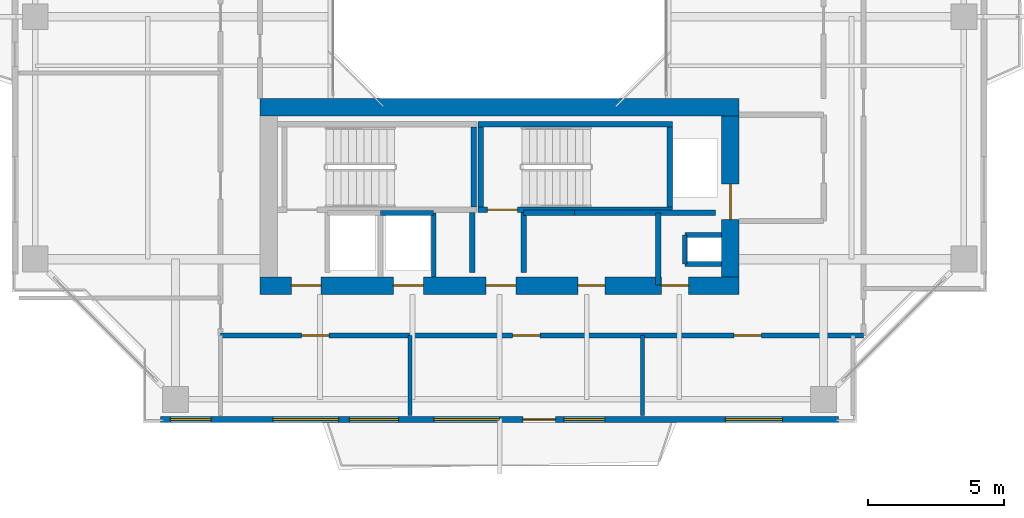
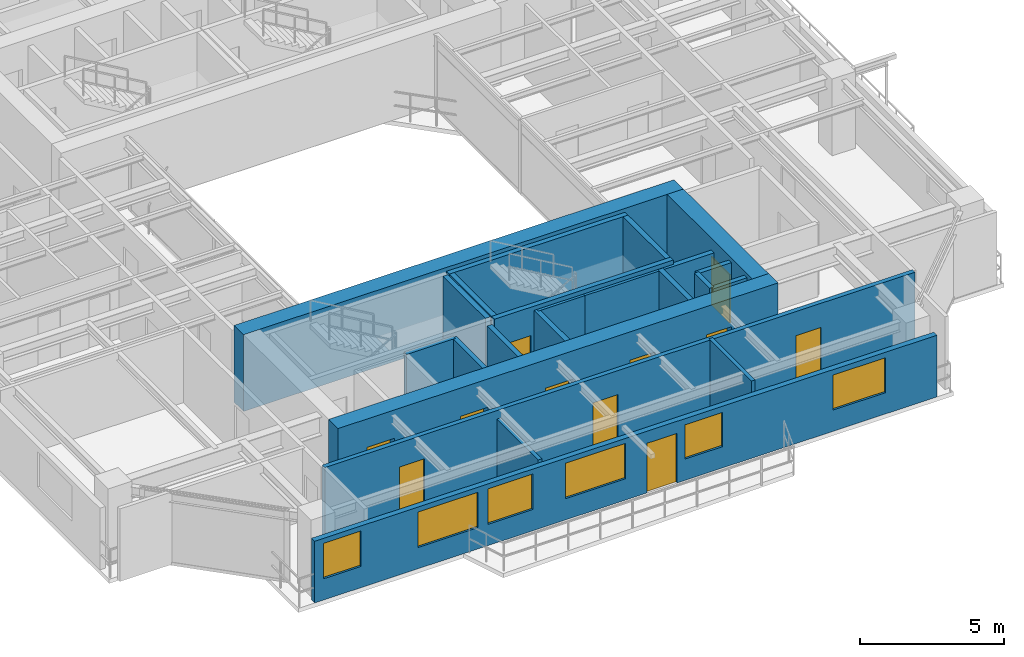
# One storey, part 11 of 18: 22 walls, 11 doors, 6 windows, 17 openings.
"""IFC4 building model written with IfcOpenShell, lengths in metres."""

import ifcopenshell
import ifcopenshell.guid

model = None  # the IFC model being written
_history = None  # IfcOwnerHistory: only IFC2X3 demands one
_inside = {}  # id of a spatial element -> (the spatial element, [elements in it])
_under = {}  # id of a project, library or spatial element -> (it, [spatial elements below it])
_declared = {}  # id of a project -> (the project, [libraries it declares])
_typed = {}  # id of a type object -> (the type object, [elements of that type])
_made_of = {}  # id of a material, layer set ... -> (it, [elements and type objects made of it])


def new_model(schema):
    """Start an empty IFC model of exactly this schema.

    Asked for "IFC4X3", IfcOpenShell would pick the latest addendum, in which some entities
    have other attributes; the version numbers below select the first issue.
    IFC2X3 requires an IfcOwnerHistory on every rooted entity: one is made here for all.
    """
    global model, _history
    if schema == "IFC4X3":
        model = ifcopenshell.file(schema_version=(4, 3, 0, 0))
    else:
        model = ifcopenshell.file(schema=schema)
    _inside.clear()
    _under.clear()
    _declared.clear()
    _typed.clear()
    _made_of.clear()
    _history = None
    if model.schema == "IFC2X3":
        org = make("IfcOrganization", Name="unknown")
        user = make(
            "IfcPersonAndOrganization",
            ThePerson=make("IfcPerson", FamilyName="unknown"),
            TheOrganization=org,
        )
        app = make(
            "IfcApplication",
            ApplicationDeveloper=org,
            Version="unknown",
            ApplicationFullName="unknown",
            ApplicationIdentifier="unknown",
        )
        _history = make(
            "IfcOwnerHistory",
            OwningUser=user,
            OwningApplication=app,
            ChangeAction="ADDED",
            CreationDate=0,
        )
    return model


def make(cls, **values):
    """One entity of the class cls with the attributes given. An attribute that is None is left unset."""
    return model.create_entity(
        cls, **{name: value for name, value in values.items() if value is not None}
    )


def rooted(cls, **values):
    """An entity with a GlobalId (a new one), such as an element, a storey or a relation."""
    return make(cls, GlobalId=ifcopenshell.guid.new(), OwnerHistory=_history, **values)


def si_unit(unit_type, name, prefix=None):
    """IfcSIUnit, for example si_unit("LENGTHUNIT", "METRE", prefix="MILLI")."""
    return make("IfcSIUnit", UnitType=unit_type, Prefix=prefix, Name=name)


def assignment(units):
    """IfcUnitAssignment: the units of a project."""
    return None if units is None else make("IfcUnitAssignment", Units=units)


def point(xyz):
    """IfcCartesianPoint."""
    return None if xyz is None else make("IfcCartesianPoint", Coordinates=xyz)


def direction(xyz):
    """IfcDirection."""
    return None if xyz is None else make("IfcDirection", DirectionRatios=xyz)


def frame(location, z_axis=None, x_axis=None):
    """IfcAxis2Placement3D, a coordinate frame: its origin and axes. An axis left out is left unset."""
    return make(
        "IfcAxis2Placement3D",
        Location=point(location),
        Axis=direction(z_axis),
        RefDirection=direction(x_axis),
    )


def frame_2d(location, x_axis=None):
    """IfcAxis2Placement2D, a coordinate frame in the plane: its origin and x axis."""
    return make(
        "IfcAxis2Placement2D", Location=point(location), RefDirection=direction(x_axis)
    )


def origin():
    """The frame at (0, 0, 0) with its axes left unset."""
    return frame((0.0, 0.0, 0.0))


def place(relative_to, where):
    """IfcLocalPlacement: puts the frame where relative to a parent placement (None: the world)."""
    return make(
        "IfcLocalPlacement", PlacementRelTo=relative_to, RelativePlacement=where
    )


def context(
    kind, dimensions, precision=None, world=None, true_north=None, identifier=None
):
    """IfcGeometricRepresentationContext, for example the 3D "Model" context."""
    return make(
        "IfcGeometricRepresentationContext",
        ContextIdentifier=identifier,
        ContextType=kind,
        CoordinateSpaceDimension=dimensions,
        Precision=precision,
        WorldCoordinateSystem=world,
        TrueNorth=true_north,
    )


def subcontext(parent, identifier, kind, view, scale=None):
    """IfcGeometricRepresentationSubContext, for example "Body" below "Model"."""
    return make(
        "IfcGeometricRepresentationSubContext",
        ContextIdentifier=identifier,
        ContextType=kind,
        ParentContext=parent,
        TargetScale=scale,
        TargetView=view,
    )


def project(units=None, contexts=None):
    """IfcProject with its units and contexts."""
    return rooted(
        "IfcProject",
        Name="project",
        RepresentationContexts=contexts,
        UnitsInContext=assignment(units),
    )


def spatial(cls, under=None, at=None, **own):
    """A site, building, storey or space (cls), placed at a placement, below another one or the project."""
    s = rooted(cls, ObjectPlacement=at, **own)
    if under is not None:
        _under.setdefault(under.id(), (under, []))[1].append(s)
    return s


def profile(cls, at=None, kind="AREA", **sizes):
    """A parametric profile (cls). Its sizes go by their IFC names, for example OverallWidth=200.0."""
    return make(cls, ProfileType=kind, Position=at, **sizes)


def rectangle(**sizes):
    """IfcRectangleProfileDef."""
    return profile("IfcRectangleProfileDef", **sizes)


def extrude(swept, where, along, depth):
    """IfcExtrudedAreaSolid: the profile swept, set in the frame where, extruded along a direction by depth."""
    return make(
        "IfcExtrudedAreaSolid",
        SweptArea=swept,
        Position=where,
        ExtrudedDirection=direction(along),
        Depth=depth,
    )


def shape(context_of_items, identifier, shape_type, items):
    """IfcShapeRepresentation: the items that make up one representation, for example the "Body"."""
    return make(
        "IfcShapeRepresentation",
        ContextOfItems=context_of_items,
        RepresentationIdentifier=identifier,
        RepresentationType=shape_type,
        Items=items,
    )


def source(mapping_origin, context_of_items, identifier, shape_type, items):
    """IfcRepresentationMap: a shape defined once, which mapped items show again and again."""
    return make(
        "IfcRepresentationMap",
        MappingOrigin=mapping_origin,
        MappedRepresentation=shape(context_of_items, identifier, shape_type, items),
    )


def transform(
    local_origin,
    x_axis=None,
    y_axis=None,
    z_axis=None,
    scale=None,
    scale2=None,
    scale3=None,
    uniform=True,
):
    """IfcCartesianTransformationOperator3D, or its non-uniform kind. x_axis, y_axis, z_axis: its Axis1, 2, 3."""
    if uniform:
        return make(
            "IfcCartesianTransformationOperator3D",
            Axis1=direction(x_axis),
            Axis2=direction(y_axis),
            LocalOrigin=point(local_origin),
            Scale=scale,
            Axis3=direction(z_axis),
        )
    return make(
        "IfcCartesianTransformationOperator3DnonUniform",
        Axis1=direction(x_axis),
        Axis2=direction(y_axis),
        LocalOrigin=point(local_origin),
        Scale=scale,
        Axis3=direction(z_axis),
        Scale2=scale2,
        Scale3=scale3,
    )


def mapped(mapping_source, mapping_target):
    """IfcMappedItem: shows the shape of a source again, moved by a transform."""
    return make(
        "IfcMappedItem", MappingSource=mapping_source, MappingTarget=mapping_target
    )


def material(Name=None, Category=None):
    """IfcMaterial."""
    return make("IfcMaterial", Name=Name, Category=Category)


def layer(
    of_material, thickness, ventilated=None, Name=None, Category=None, Priority=None
):
    """IfcMaterialLayer: one layer of a wall or slab, of a material (None: an air gap)."""
    return make(
        "IfcMaterialLayer",
        Material=of_material,
        LayerThickness=thickness,
        IsVentilated=ventilated,
        Name=Name,
        Category=Category,
        Priority=Priority,
    )


def layer_set(layers, Name=None):
    """IfcMaterialLayerSet."""
    return make("IfcMaterialLayerSet", MaterialLayers=layers, LayerSetName=Name)


def made_of(thing, what):
    """Note that an element or type object is made of a material, layer set ...; save() writes the relation."""
    if what is not None:
        _made_of.setdefault(what.id(), (what, []))[1].append(thing)
    return thing


def type_object(cls, material=None, **own):
    """A type object (cls), such as IfcWallType, which elements share."""
    return made_of(rooted(cls, **own), material)


def element(
    cls,
    number,
    at=None,
    inside=None,
    cuts=None,
    type_object=None,
    material=None,
    context=None,
    identifier="Body",
    shape_type=None,
    held_by="IfcProductDefinitionShape",
    body=None,
    shapes=None,
    **own,
):
    """One element of the class cls, such as IfcWall. Its Tag is "e" and its number.

    at: its placement. inside: the storey or other place that contains it. cuts: it is an
    opening in that element (IfcRelVoidsElement). A single representation is given by context,
    identifier, shape_type and body (its items); several are given by shapes. held_by: the class
    of the entity that holds the representations. save() writes the other relations.
    """
    e = rooted(cls, Tag="e%d" % number, ObjectPlacement=at, **own)
    if body is not None:
        shapes = [shape(context, identifier, shape_type, body)]
    if shapes is not None:
        e.Representation = make(held_by, Representations=shapes)
    if inside is not None:
        _inside.setdefault(inside.id(), (inside, []))[1].append(e)
    if cuts is not None:
        rooted(
            "IfcRelVoidsElement", RelatingBuildingElement=cuts, RelatedOpeningElement=e
        )
    if type_object is not None:
        _typed.setdefault(type_object.id(), (type_object, []))[1].append(e)
    return made_of(e, material)


def fill(opening, filler):
    """IfcRelFillsElement: the door or window that sits in an opening."""
    return rooted(
        "IfcRelFillsElement",
        RelatingOpeningElement=opening,
        RelatedBuildingElement=filler,
    )


def aggregate(whole, parts):
    """IfcRelAggregates: a whole, such as a stair, and the parts it consists of."""
    return rooted("IfcRelAggregates", RelatingObject=whole, RelatedObjects=parts)


def save(model, path):
    """Write the relations noted so far, then the file.

    IfcRelAggregates (storeys below a building ...), IfcRelContainedInSpatialStructure (elements
    in a storey), IfcRelDefinesByType, IfcRelAssociatesMaterial and IfcRelDeclares: one each for
    every whole, place, type object, material and project.
    """
    for whole, parts in _under.values():
        aggregate(whole, parts)
    for where, things in _inside.values():
        rooted(
            "IfcRelContainedInSpatialStructure",
            RelatedElements=things,
            RelatingStructure=where,
        )
    for kind, things in _typed.values():
        rooted("IfcRelDefinesByType", RelatedObjects=things, RelatingType=kind)
    for what, things in _made_of.values():
        rooted("IfcRelAssociatesMaterial", RelatedObjects=things, RelatingMaterial=what)
    for by, libraries in _declared.values():
        rooted("IfcRelDeclares", RelatingContext=by, RelatedDefinitions=libraries)
    model.write(path)


model = new_model("IFC4")

# Units and contexts
model_context = context("Model", 3, precision=1e-05, world=origin(), true_north=direction((0.0, 1.0)))
body_context = subcontext(model_context, "Body", "Model", "MODEL_VIEW")
ifc_project = project(units=[si_unit("LENGTHUNIT", "METRE"), si_unit("AREAUNIT", "SQUARE_METRE"), si_unit("VOLUMEUNIT", "CUBIC_METRE"), si_unit("PLANEANGLEUNIT", "RADIAN"), si_unit("MASSUNIT", "GRAM", prefix="KILO"), si_unit("THERMODYNAMICTEMPERATUREUNIT", "KELVIN"), si_unit("POWERUNIT", "WATT")], contexts=[model_context])

# Site, building, storey
site_placement = place(None, origin())
site = spatial("IfcSite", under=ifc_project, at=site_placement, CompositionType="ELEMENT")
building_placement = place(site_placement, origin())
building = spatial("IfcBuilding", under=site, at=building_placement, Name="Qiaomeng Ring Towers", CompositionType="ELEMENT")
storey_placement = place(building_placement, frame((0.0, 0.0, 147.0)))
storey = spatial("IfcBuildingStorey", under=building, at=storey_placement, Name="L42", CompositionType="ELEMENT", Elevation=147.0)

# Wall, openings, windows, door
ifc_material_1 = material(Name="Precast concrete C40", Category="concrete")
ifc_layer_1 = layer(ifc_material_1, 0.219970703125, Name="Precast concrete C40")
ifc_layer_set_1 = layer_set([ifc_layer_1], Name="Precast concrete C40")
wall_type_1 = type_object("IfcWallType", Name="ARC-WL-EW2", PredefinedType="STANDARD", material=ifc_layer_set_1)
wall_1_placement = place(storey_placement, frame((6.550048828125, 5.2099609375, 0.0), z_axis=(0.0, 0.0, 1.0), x_axis=(1.0, 0.0, 0.0)))
wall_1 = element("IfcWall", 1, at=wall_1_placement, inside=storey, type_object=wall_type_1, Name="L42 Tower 1 S Exterior Wall", PredefinedType="STANDARD", context=body_context, shape_type="SweptSolid", body=[
    extrude(rectangle(XDim=24.89990234375, YDim=0.219970703125, at=frame_2d((12.449951171875, 0.0))), origin(), (0.0, 0.0, 1.0), 2.610107421875),
])
opening_1_placement = place(wall_1_placement, frame((13.300048828125, 0.0, 0.0)))
opening_1 = element("IfcOpeningElement", 2, at=opening_1_placement, cuts=wall_1, Name="Opening BD1", PredefinedType="OPENING", context=body_context, shape_type="SweptSolid", body=[
    extrude(rectangle(XDim=1.199951171875, YDim=2.10009765625, at=frame_2d((0.60009765625, 1.050048828125))), frame((0.0, 0.119873046875, 0.0), z_axis=(0.0, -1.0, 0.0), x_axis=(1.0, 0.0, 0.0)), (0.0, 0.0, 1.0), 0.239990234375),
])
opening_2_placement = place(wall_1_placement, frame((0.357421875, 0.0, 0.89990234375)))
opening_2 = element("IfcOpeningElement", 3, at=opening_2_placement, cuts=wall_1, Name="Opening WN2", PredefinedType="OPENING", context=body_context, shape_type="SweptSolid", body=[
    extrude(rectangle(XDim=1.5, YDim=1.5, at=frame_2d((0.75, 0.75))), frame((0.0, 0.119873046875, 0.0), z_axis=(0.0, -1.0, 0.0), x_axis=(1.0, 0.0, 0.0)), (0.0, 0.0, 1.0), 0.239990234375),
])
opening_3_placement = place(wall_1_placement, frame((6.9306640625, 0.0, 0.89990234375)))
opening_3 = element("IfcOpeningElement", 4, at=opening_3_placement, cuts=wall_1, Name="Opening WN1", PredefinedType="OPENING", context=body_context, shape_type="SweptSolid", body=[
    extrude(rectangle(XDim=1.800048828125, YDim=1.5, at=frame_2d((0.89990234375, 0.75))), frame((0.0, 0.119873046875, 0.0), z_axis=(0.0, -1.0, 0.0), x_axis=(1.0, 0.0, 0.0)), (0.0, 0.0, 1.0), 0.239990234375),
])
opening_4_placement = place(wall_1_placement, frame((14.81298828125, 0.0, 0.89990234375)))
opening_4 = element("IfcOpeningElement", 5, at=opening_4_placement, cuts=wall_1, Name="Opening WN2", PredefinedType="OPENING", context=body_context, shape_type="SweptSolid", body=[
    extrude(rectangle(XDim=1.5, YDim=1.449951171875, at=frame_2d((0.75, 0.72509765625))), frame((0.0, 0.119873046875, 0.0), z_axis=(0.0, -1.0, 0.0), x_axis=(1.0, 0.0, 0.0)), (0.0, 0.0, 1.0), 0.239990234375),
])
opening_5_placement = place(wall_1_placement, frame((20.738037109375, 0.0, 0.89990234375)))
opening_5 = element("IfcOpeningElement", 6, at=opening_5_placement, cuts=wall_1, Name="Opening WN4", PredefinedType="OPENING", context=body_context, shape_type="SweptSolid", body=[
    extrude(rectangle(XDim=2.10009765625, YDim=1.47998046875, at=frame_2d((1.050048828125, 0.739990234375))), frame((0.0, 0.119873046875, 0.0), z_axis=(0.0, -1.0, 0.0), x_axis=(1.0, 0.0, 0.0)), (0.0, 0.0, 1.0), 0.239990234375),
])
opening_6_placement = place(wall_1_placement, frame((4.136474609375, 0.0, 0.89990234375)))
opening_6 = element("IfcOpeningElement", 7, at=opening_6_placement, cuts=wall_1, Name="Opening WN6", PredefinedType="OPENING", context=body_context, shape_type="SweptSolid", body=[
    extrude(rectangle(XDim=2.39990234375, YDim=1.5, at=frame_2d((1.199951171875, 0.75))), frame((0.0, 0.119873046875, 0.0), z_axis=(0.0, -1.0, 0.0), x_axis=(1.0, 0.0, 0.0)), (0.0, 0.0, 1.0), 0.239990234375),
])
opening_7_placement = place(wall_1_placement, frame((10.03759765625, 0.0, 0.89990234375)))
opening_7 = element("IfcOpeningElement", 8, at=opening_7_placement, cuts=wall_1, Name="Opening WN6", PredefinedType="OPENING", context=body_context, shape_type="SweptSolid", body=[
    extrude(rectangle(XDim=2.39990234375, YDim=1.5, at=frame_2d((1.199951171875, 0.75))), frame((0.0, 0.119873046875, 0.0), z_axis=(0.0, -1.0, 0.0), x_axis=(1.0, 0.0, 0.0)), (0.0, 0.0, 1.0), 0.239990234375),
])
ifc_material_2 = material(Name="Low-E dark-grey laminated double glazing", Category="glass")
window_type_1 = type_object("IfcWindowType", Name="ARC-WN-2", PartitioningType="DOUBLE_PANEL_VERTICAL", PredefinedType="WINDOW", material=ifc_material_2)
shared_shape_1 = source(origin(), body_context, "Body", "SweptSolid", [
    extrude(rectangle(XDim=1.5, YDim=1.449951171875, at=frame_2d((0.75, 0.72509765625))), frame((0.0, 0.030029296875, 0.0), z_axis=(0.0, -1.0, 0.0), x_axis=(1.0, 0.0, 0.0)), (0.0, 0.0, 1.0), 0.06005859375),
])
window_1_placement = place(opening_4_placement, origin())
window_1 = element("IfcWindow", 9, at=window_1_placement, inside=storey, type_object=window_type_1, Name="L42 Exterior Window WN2", OverallHeight=1.449951171875, OverallWidth=1.5, PartitioningType="DOUBLE_PANEL_VERTICAL", PredefinedType="WINDOW", context=body_context, shape_type="MappedRepresentation", body=[
    mapped(shared_shape_1, transform((0.0, 0.0, 0.0), x_axis=(1.0, 0.0, 0.0), y_axis=(0.0, 1.0, 0.0), z_axis=(0.0, 0.0, 1.0), scale=1.0)),
])
fill(opening_4, window_1)
window_type_2 = type_object("IfcWindowType", Name="ARC-WN-4", PartitioningType="TRIPLE_PANEL_VERTICAL", PredefinedType="WINDOW", material=ifc_material_2)
shared_shape_2 = source(origin(), body_context, "Body", "SweptSolid", [
    extrude(rectangle(XDim=2.10009765625, YDim=1.47998046875, at=frame_2d((1.050048828125, 0.739990234375))), frame((0.0, 0.030029296875, 0.0), z_axis=(0.0, -1.0, 0.0), x_axis=(1.0, 0.0, 0.0)), (0.0, 0.0, 1.0), 0.06005859375),
])
window_2_placement = place(opening_5_placement, origin())
window_2 = element("IfcWindow", 10, at=window_2_placement, inside=storey, type_object=window_type_2, Name="L42 Exterior Window WN4", OverallHeight=1.47998046875, OverallWidth=2.10009765625, PartitioningType="TRIPLE_PANEL_VERTICAL", PredefinedType="WINDOW", context=body_context, shape_type="MappedRepresentation", body=[
    mapped(shared_shape_2, transform((0.0, 0.0, 0.0), x_axis=(1.0, 0.0, 0.0), y_axis=(0.0, 1.0, 0.0), z_axis=(0.0, 0.0, 1.0), scale=1.0)),
])
fill(opening_5, window_2)
door_type_1 = type_object("IfcDoorType", Name="ARC-DR-BD1", OperationType="NOTDEFINED", PredefinedType="DOOR", material=ifc_material_2)
shared_shape_3 = source(origin(), body_context, "Body", "SweptSolid", [
    extrude(rectangle(XDim=1.199951171875, YDim=2.10009765625, at=frame_2d((0.60009765625, 1.050048828125))), frame((0.0, 0.02490234375, 0.0), z_axis=(0.0, -1.0, 0.0), x_axis=(1.0, 0.0, 0.0)), (0.0, 0.0, 1.0), 0.050048828125),
])
door_1_placement = place(opening_1_placement, frame((1.199951171875, 0.0, 0.0), z_axis=(0.0, 0.0, 1.0), x_axis=(-1.0, 0.0, 0.0)))
door_1 = element("IfcDoor", 11, at=door_1_placement, inside=storey, type_object=door_type_1, Name="L42 S Balcony Glazed Door", OperationType="SINGLE_SWING_LEFT", OverallHeight=2.10009765625, OverallWidth=1.199951171875, PredefinedType="DOOR", context=body_context, shape_type="MappedRepresentation", body=[
    mapped(shared_shape_3, transform((0.0, 0.0, 0.0), x_axis=(1.0, 0.0, 0.0), y_axis=(0.0, 1.0, 0.0), z_axis=(0.0, 0.0, 1.0), scale=1.0)),
])
fill(opening_1, door_1)
shared_shape_4 = source(origin(), body_context, "Body", "SweptSolid", [
    extrude(rectangle(XDim=1.5, YDim=1.5, at=frame_2d((0.75, 0.75))), frame((0.0, 0.030029296875, 0.0), z_axis=(0.0, -1.0, 0.0), x_axis=(1.0, 0.0, 0.0)), (0.0, 0.0, 1.0), 0.06005859375),
])
window_3_placement = place(opening_2_placement, origin())
window_3 = element("IfcWindow", 12, at=window_3_placement, inside=storey, type_object=window_type_1, Name="L42 Exterior Window WN6", OverallHeight=1.5, OverallWidth=1.5, PartitioningType="TRIPLE_PANEL_VERTICAL", PredefinedType="WINDOW", context=body_context, shape_type="MappedRepresentation", body=[
    mapped(shared_shape_4, transform((0.0, 0.0, 0.0), x_axis=(1.0, 0.0, 0.0), y_axis=(0.0, 1.0, 0.0), z_axis=(0.0, 0.0, 1.0), scale=1.0)),
])
fill(opening_2, window_3)
window_type_3 = type_object("IfcWindowType", Name="ARC-WN-6", PartitioningType="TRIPLE_PANEL_VERTICAL", PredefinedType="WINDOW", material=ifc_material_2)
shared_shape_5 = source(origin(), body_context, "Body", "SweptSolid", [
    extrude(rectangle(XDim=2.39990234375, YDim=1.5, at=frame_2d((1.199951171875, 0.75))), frame((0.0, 0.030029296875, 0.0), z_axis=(0.0, -1.0, 0.0), x_axis=(1.0, 0.0, 0.0)), (0.0, 0.0, 1.0), 0.06005859375),
])
window_4_placement = place(opening_6_placement, origin())
window_4 = element("IfcWindow", 13, at=window_4_placement, inside=storey, type_object=window_type_3, Name="L42 Exterior Window WN6", OverallHeight=1.5, OverallWidth=2.39990234375, PartitioningType="TRIPLE_PANEL_VERTICAL", PredefinedType="WINDOW", context=body_context, shape_type="MappedRepresentation", body=[
    mapped(shared_shape_5, transform((0.0, 0.0, 0.0), x_axis=(1.0, 0.0, 0.0), y_axis=(0.0, 1.0, 0.0), z_axis=(0.0, 0.0, 1.0), scale=1.0)),
])
fill(opening_6, window_4)
window_5_placement = place(opening_7_placement, origin())
window_5 = element("IfcWindow", 14, at=window_5_placement, inside=storey, type_object=window_type_3, Name="L42 Exterior Window WN6", OverallHeight=1.5, OverallWidth=2.39990234375, PartitioningType="TRIPLE_PANEL_VERTICAL", PredefinedType="WINDOW", context=body_context, shape_type="MappedRepresentation", body=[
    mapped(shared_shape_5, transform((0.0, 0.0, 0.0), x_axis=(1.0, 0.0, 0.0), y_axis=(0.0, 1.0, 0.0), z_axis=(0.0, 0.0, 1.0), scale=1.0)),
])
fill(opening_7, window_5)
window_type_4 = type_object("IfcWindowType", Name="ARC-WN-1", PartitioningType="DOUBLE_PANEL_VERTICAL", PredefinedType="WINDOW", material=ifc_material_2)
shared_shape_6 = source(origin(), body_context, "Body", "SweptSolid", [
    extrude(rectangle(XDim=1.800048828125, YDim=1.5, at=frame_2d((0.89990234375, 0.75))), frame((0.0, 0.030029296875, 0.0), z_axis=(0.0, -1.0, 0.0), x_axis=(1.0, 0.0, 0.0)), (0.0, 0.0, 1.0), 0.06005859375),
])
window_6_placement = place(opening_3_placement, origin())
window_6 = element("IfcWindow", 15, at=window_6_placement, inside=storey, type_object=window_type_4, Name="L42 Exterior Window WN1", OverallHeight=1.5, OverallWidth=1.800048828125, PartitioningType="DOUBLE_PANEL_VERTICAL", PredefinedType="WINDOW", context=body_context, shape_type="MappedRepresentation", body=[
    mapped(shared_shape_6, transform((0.0, 0.0, 0.0), x_axis=(1.0, 0.0, 0.0), y_axis=(0.0, 1.0, 0.0), z_axis=(0.0, 0.0, 1.0), scale=1.0)),
])
fill(opening_3, window_6)

# Walls
ifc_material_3 = material(Name="Autoclaved aerated concrete block", Category="concrete")
ifc_layer_2 = layer(ifc_material_3, 0.199951171875, Name="Autoclaved aerated concrete block")
ifc_layer_set_2 = layer_set([ifc_layer_2], Name="Autoclaved aerated concrete block")
wall_type_2 = type_object("IfcWallType", Name="ARC-WL-PW1", PredefinedType="PARTITIONING", material=ifc_layer_set_2)
for number, where, z_axis, x_axis, name in (
    (16, (18.0, 10.60009765625, 0.0), (0.0, 0.0, 1.0), (0.0, 1.0, 0.0), "L42 Interior Wall PW1"),
    (17, (19.8798828125, 10.60009765625, 0.0), (0.0, 0.0, 1.0), (0.0, 1.0, 0.0), "L42 Interior Wall PW1"),
):
    element("IfcWall", number, at=place(storey_placement, frame(where, z_axis=z_axis, x_axis=x_axis)), inside=storey, type_object=wall_type_2, Name=name, PredefinedType="PARTITIONING", context=body_context, shape_type="SweptSolid", body=[
        extrude(rectangle(XDim=2.2099609375, YDim=0.199951171875, at=frame_2d((1.10498046875, 0.0))), origin(), (0.0, 0.0, 1.0), 3.070068359375),
    ])
wall_2_placement = place(storey_placement, frame((24.820068359375, 10.14990234375, 0.0), z_axis=(0.0, 0.0, 1.0), x_axis=(0.0, 1.0, 0.0)))
element("IfcWall", 18, at=wall_2_placement, inside=storey, type_object=wall_type_2, Name="L42 Interior Wall PW1", PredefinedType="PARTITIONING", context=body_context, shape_type="SweptSolid", body=[
    extrude(rectangle(XDim=2.650146484375, YDim=0.199951171875, at=frame_2d((1.3251953125, 0.0))), origin(), (0.0, 0.0, 1.0), 3.070068359375),
])
wall_3_placement = place(storey_placement, frame((19.8798828125, 12.800048828125, 0.0), z_axis=(0.0, 0.0, 1.0), x_axis=(1.0, 0.0, 0.0)))
element("IfcWall", 19, at=wall_3_placement, inside=storey, type_object=wall_type_2, Name="L42 Interior Wall PW1", PredefinedType="PARTITIONING", context=body_context, shape_type="SweptSolid", body=[
    extrude(rectangle(XDim=1.8701171875, YDim=0.199951171875, at=frame_2d((0.93505859375, 0.0))), origin(), (0.0, 0.0, 1.0), 3.070068359375),
])
wall_4_placement = place(storey_placement, frame((21.75, 12.800048828125, 0.0), z_axis=(0.0, 0.0, 1.0), x_axis=(1.0, 0.0, 0.0)))
element("IfcWall", 20, at=wall_4_placement, inside=storey, type_object=wall_type_2, Name="L42 Interior Wall PW1", PredefinedType="PARTITIONING", context=body_context, shape_type="SweptSolid", body=[
    extrude(rectangle(XDim=5.169921875, YDim=0.199951171875, at=frame_2d((2.5849609375, 0.0))), origin(), (0.0, 0.0, 1.0), 3.070068359375),
])

# Wall, openings, doors
ifc_layer_3 = layer(ifc_material_3, 0.179931640625, Name="Autoclaved aerated concrete block")
ifc_layer_set_3 = layer_set([ifc_layer_3], Name="Autoclaved aerated concrete block")
wall_type_3 = type_object("IfcWallType", Name="ARC-WL-PW2", PredefinedType="PARTITIONING", material=ifc_layer_set_3)
wall_5_placement = place(storey_placement, frame((8.75, 8.300048828125, 0.0), z_axis=(0.0, 0.0, 1.0), x_axis=(1.0, 0.0, 0.0)))
wall_5 = element("IfcWall", 21, at=wall_5_placement, inside=storey, type_object=wall_type_3, Name="L42 Interior Wall PW2", PredefinedType="PARTITIONING", context=body_context, shape_type="SweptSolid", body=[
    extrude(rectangle(XDim=23.610107421875, YDim=0.179931640625, at=frame_2d((11.80517578125, 0.0))), origin(), (0.0, 0.0, 1.0), 3.070068359375),
])
opening_8_placement = place(wall_5_placement, frame((2.97998046875, 0.0, 0.0)))
opening_8 = element("IfcOpeningElement", 22, at=opening_8_placement, cuts=wall_5, Name="Opening FD4", PredefinedType="OPENING", context=body_context, shape_type="SweptSolid", body=[
    extrude(rectangle(XDim=1.0, YDim=2.050048828125, at=frame_2d((0.5, 1.02490234375))), frame((0.0, 0.099853515625, 0.0), z_axis=(0.0, -1.0, 0.0), x_axis=(1.0, 0.0, 0.0)), (0.0, 0.0, 1.0), 0.199951171875),
])
opening_9_placement = place(wall_5_placement, frame((10.72509765625, 0.0, 0.0)))
opening_9 = element("IfcOpeningElement", 23, at=opening_9_placement, cuts=wall_5, Name="Opening FD4", PredefinedType="OPENING", context=body_context, shape_type="SweptSolid", body=[
    extrude(rectangle(XDim=1.0, YDim=2.050048828125, at=frame_2d((0.5, 1.02490234375))), frame((0.0, 0.099853515625, 0.0), z_axis=(0.0, -1.0, 0.0), x_axis=(1.0, 0.0, 0.0)), (0.0, 0.0, 1.0), 0.199951171875),
])
opening_10_placement = place(wall_5_placement, frame((18.860107421875, 0.0, 0.0)))
opening_10 = element("IfcOpeningElement", 24, at=opening_10_placement, cuts=wall_5, Name="Opening FD4", PredefinedType="OPENING", context=body_context, shape_type="SweptSolid", body=[
    extrude(rectangle(XDim=1.0, YDim=2.050048828125, at=frame_2d((0.5, 1.02490234375))), frame((0.0, 0.099853515625, 0.0), z_axis=(0.0, -1.0, 0.0), x_axis=(1.0, 0.0, 0.0)), (0.0, 0.0, 1.0), 0.199951171875),
])
ifc_material_4 = material(Name="Engineered fire-rated oak timber", Category="wood")
door_type_2 = type_object("IfcDoorType", Name="ARC-DR-FD4", OperationType="NOTDEFINED", PredefinedType="DOOR", material=ifc_material_4)
shared_shape_7 = source(origin(), body_context, "Body", "SweptSolid", [
    extrude(rectangle(XDim=1.0, YDim=2.050048828125, at=frame_2d((0.5, 1.02490234375))), frame((0.0, 0.02490234375, 0.0), z_axis=(0.0, -1.0, 0.0), x_axis=(1.0, 0.0, 0.0)), (0.0, 0.0, 1.0), 0.050048828125),
])
door_2_placement = place(opening_8_placement, origin())
door_2 = element("IfcDoor", 25, at=door_2_placement, inside=storey, type_object=door_type_2, Name="L42 Door FD4", OperationType="SINGLE_SWING_LEFT", OverallHeight=2.050048828125, OverallWidth=1.0, PredefinedType="DOOR", context=body_context, shape_type="MappedRepresentation", body=[
    mapped(shared_shape_7, transform((0.0, 0.0, 0.0), x_axis=(1.0, 0.0, 0.0), y_axis=(0.0, 1.0, 0.0), z_axis=(0.0, 0.0, 1.0), scale=1.0)),
])
fill(opening_8, door_2)
door_3_placement = place(opening_9_placement, origin())
door_3 = element("IfcDoor", 26, at=door_3_placement, inside=storey, type_object=door_type_2, Name="L42 Door FD4", OperationType="SINGLE_SWING_RIGHT", OverallHeight=2.050048828125, OverallWidth=1.0, PredefinedType="DOOR", context=body_context, shape_type="MappedRepresentation", body=[
    mapped(shared_shape_7, transform((0.0, 0.0, 0.0), x_axis=(1.0, 0.0, 0.0), y_axis=(0.0, 1.0, 0.0), z_axis=(0.0, 0.0, 1.0), scale=1.0)),
])
fill(opening_9, door_3)
door_4_placement = place(opening_10_placement, origin())
door_4 = element("IfcDoor", 27, at=door_4_placement, inside=storey, type_object=door_type_2, Name="L42 Door FD4", OperationType="SINGLE_SWING_LEFT", OverallHeight=2.050048828125, OverallWidth=1.0, PredefinedType="DOOR", context=body_context, shape_type="MappedRepresentation", body=[
    mapped(shared_shape_7, transform((0.0, 0.0, 0.0), x_axis=(1.0, 0.0, 0.0), y_axis=(0.0, 1.0, 0.0), z_axis=(0.0, 0.0, 1.0), scale=1.0)),
])
fill(opening_10, door_4)

# Walls
ifc_material_5 = material(Name="Gypsum fireboard steel-stud partition", Category="steel")
ifc_layer_4 = layer(ifc_material_5, 0.14990234375, Name="Gypsum fireboard steel-stud partition")
ifc_layer_set_4 = layer_set([ifc_layer_4], Name="Gypsum fireboard steel-stud partition")
wall_type_4 = type_object("IfcWallType", Name="ARC-WL-PW3", PredefinedType="PARTITIONING", material=ifc_layer_set_4)
wall_6_placement = place(storey_placement, frame((15.7099609375, 5.35009765625, 0.0), z_axis=(0.0, 0.0, 1.0), x_axis=(0.0, 1.0, 0.0)))
element("IfcWall", 28, at=wall_6_placement, inside=storey, type_object=wall_type_4, Name="L42 Interior Wall PW3", PredefinedType="PARTITIONING", context=body_context, shape_type="SweptSolid", body=[
    extrude(rectangle(XDim=2.949951171875, YDim=0.14990234375, at=frame_2d((1.47509765625, 0.0))), origin(), (0.0, 0.0, 1.0), 2.715087890625),
])
wall_7_placement = place(storey_placement, frame((24.239990234375, 5.35009765625, 0.0), z_axis=(0.0, 0.0, 1.0), x_axis=(0.0, 1.0, 0.0)))
element("IfcWall", 29, at=wall_7_placement, inside=storey, type_object=wall_type_4, Name="L42 Interior Wall PW3", PredefinedType="PARTITIONING", context=body_context, shape_type="SweptSolid", body=[
    extrude(rectangle(XDim=2.949951171875, YDim=0.14990234375, at=frame_2d((1.47509765625, 0.0))), origin(), (0.0, 0.0, 1.0), 3.070068359375),
])
ifc_material_6 = material(Name="Concrete C40", Category="concrete")
ifc_layer_5 = layer(ifc_material_6, 0.199951171875, Name="Concrete C40")
ifc_layer_set_5 = layer_set([ifc_layer_5], Name="Concrete C40")
wall_type_5 = type_object("IfcWallType", Name="STR-WL-STSHAFT", PredefinedType="SHEAR", material=ifc_layer_set_5)
wall_8_placement = place(storey_placement, frame((25.800048828125, 10.919921875, 0.0), z_axis=(0.0, 0.0, 1.0), x_axis=(0.0, 1.0, 0.0)))
element("IfcWall", 30, at=wall_8_placement, inside=storey, type_object=wall_type_5, Name="L42 Riser RSR1 West Shaft Wall S", PredefinedType="SHEAR", context=body_context, shape_type="SweptSolid", body=[
    extrude(rectangle(XDim=1.06005859375, YDim=0.179931640625, at=frame_2d((0.530029296875, 0.0))), origin(), (0.0, 0.0, 1.0), 3.070068359375),
])
for number, where, z_axis, x_axis, name in (
    (31, (25.800048828125, 11.97998046875, 0.0), (0.0, 0.0, 1.0), (1.0, 0.0, 0.0), "L42 Riser RSR1 North Shaft Wall S"),
    (32, (25.800048828125, 10.919921875, 0.0), (0.0, 0.0, 1.0), (1.0, 0.0, 0.0), "L42 Riser RSR1 South Shaft Wall S"),
):
    element("IfcWall", number, at=place(storey_placement, frame(where, z_axis=z_axis, x_axis=x_axis)), inside=storey, type_object=wall_type_5, Name=name, PredefinedType="SHEAR", context=body_context, shape_type="SweptSolid", body=[
        extrude(rectangle(XDim=1.349853515625, YDim=0.179931640625, at=frame_2d((0.6748046875, 0.0))), origin(), (0.0, 0.0, 1.0), 3.070068359375),
    ])
wall_9_placement = place(storey_placement, frame((14.6201171875, 12.800048828125, 0.0), z_axis=(0.0, 0.0, 1.0), x_axis=(1.0, 0.0, 0.0)))
element("IfcWall", 33, at=wall_9_placement, inside=storey, type_object=wall_type_5, Name="L42 Lift LP4 Shaft Back Wall", PredefinedType="SHEAR", context=body_context, shape_type="SweptSolid", body=[
    extrude(rectangle(XDim=1.9599609375, YDim=0.179931640625, at=frame_2d((0.97998046875, 0.0))), origin(), (0.0, 0.0, 1.0), 3.070068359375),
])
wall_10_placement = place(storey_placement, frame((16.580078125, 10.449951171875, 0.0), z_axis=(0.0, 0.0, 1.0), x_axis=(0.0, 1.0, 0.0)))
element("IfcWall", 34, at=wall_10_placement, inside=storey, type_object=wall_type_5, Name="L42 Lift LP4 East Shaft Wall", PredefinedType="SHEAR", context=body_context, shape_type="SweptSolid", body=[
    extrude(rectangle(XDim=2.35009765625, YDim=0.179931640625, at=frame_2d((1.175048828125, 0.0))), origin(), (0.0, 0.0, 1.0), 3.070068359375),
])
wall_11_placement = place(storey_placement, frame((18.050048828125, 13.010009765625, 0.0), z_axis=(0.0, 0.0, 1.0), x_axis=(0.0, 1.0, 0.0)))
element("IfcWall", 35, at=wall_11_placement, inside=storey, type_object=wall_type_5, Name="L42 Stair ST3 East Shaft Shear Wall", PredefinedType="SHEAR", context=body_context, shape_type="SweptSolid", body=[
    extrude(rectangle(XDim=2.93994140625, YDim=0.199951171875, at=frame_2d((1.469970703125, 0.0))), origin(), (0.0, 0.0, 1.0), 3.25),
])

# Wall, opening, door
wall_12_placement = place(storey_placement, frame((18.199951171875, 12.909912109375, 0.0), z_axis=(0.0, 0.0, 1.0), x_axis=(1.0, 0.0, 0.0)))
wall_12 = element("IfcWall", 36, at=wall_12_placement, inside=storey, type_object=wall_type_5, Name="L42 Stair ST4 South Shaft Shear Wall", PredefinedType="SHEAR", context=body_context, shape_type="SweptSolid", body=[
    extrude(rectangle(XDim=7.150146484375, YDim=0.199951171875, at=frame_2d((3.5751953125, 0.0))), origin(), (0.0, 0.0, 1.0), 3.25),
])
opening_11_placement = place(wall_12_placement, frame((0.35009765625, 0.0, 0.0)))
opening_11 = element("IfcOpeningElement", 37, at=opening_11_placement, cuts=wall_12, Name="Opening FD3", PredefinedType="OPENING", context=body_context, shape_type="SweptSolid", body=[
    extrude(rectangle(XDim=1.10009765625, YDim=2.050048828125, at=frame_2d((0.550048828125, 1.02490234375))), frame((0.0, 0.10986328125, 0.0), z_axis=(0.0, -1.0, 0.0), x_axis=(1.0, 0.0, 0.0)), (0.0, 0.0, 1.0), 0.219970703125),
])
ifc_material_7 = material(Name="Galvanised steel", Category="steel")
door_type_3 = type_object("IfcDoorType", Name="ARC-DR-FD3", OperationType="NOTDEFINED", PredefinedType="DOOR", material=ifc_material_7)
shared_shape_8 = source(origin(), body_context, "Body", "SweptSolid", [
    extrude(rectangle(XDim=1.10009765625, YDim=2.050048828125, at=frame_2d((0.550048828125, 1.02490234375))), frame((0.0, 0.02490234375, 0.0), z_axis=(0.0, -1.0, 0.0), x_axis=(1.0, 0.0, 0.0)), (0.0, 0.0, 1.0), 0.050048828125),
])
door_5_placement = place(opening_11_placement, frame((1.10009765625, 0.0, 0.0), z_axis=(0.0, 0.0, 1.0), x_axis=(-1.0, 0.0, 0.0)))
door_5 = element("IfcDoor", 38, at=door_5_placement, inside=storey, type_object=door_type_3, Name="L42 Stair ST4 Exit Door", OperationType="SINGLE_SWING_LEFT", OverallHeight=2.050048828125, OverallWidth=1.10009765625, PredefinedType="DOOR", context=body_context, shape_type="MappedRepresentation", body=[
    mapped(shared_shape_8, transform((0.0, 0.0, 0.0), x_axis=(1.0, 0.0, 0.0), y_axis=(0.0, 1.0, 0.0), z_axis=(0.0, 0.0, 1.0), scale=1.0)),
])
fill(opening_11, door_5)

# Walls
wall_13_placement = place(storey_placement, frame((18.199951171875, 16.050048828125, 0.0), z_axis=(0.0, 0.0, 1.0), x_axis=(1.0, 0.0, 0.0)))
element("IfcWall", 39, at=wall_13_placement, inside=storey, type_object=wall_type_5, Name="L42 Stair ST4 North Shaft Shear Wall", PredefinedType="SHEAR", context=body_context, shape_type="SweptSolid", body=[
    extrude(rectangle(XDim=7.150146484375, YDim=0.199951171875, at=frame_2d((3.5751953125, 0.0))), origin(), (0.0, 0.0, 1.0), 3.25),
])
for number, where, z_axis, x_axis, name in (
    (40, (18.300048828125, 13.010009765625, 0.0), (0.0, 0.0, 1.0), (0.0, 1.0, 0.0), "L42 Stair ST4 West Shaft Shear Wall"),
    (41, (25.25, 13.010009765625, 0.0), (0.0, 0.0, 1.0), (0.0, 1.0, 0.0), "L42 Stair ST4 East Shaft Shear Wall"),
):
    element("IfcWall", number, at=place(storey_placement, frame(where, z_axis=z_axis, x_axis=x_axis)), inside=storey, type_object=wall_type_5, Name=name, PredefinedType="SHEAR", context=body_context, shape_type="SweptSolid", body=[
        extrude(rectangle(XDim=2.93994140625, YDim=0.199951171875, at=frame_2d((1.469970703125, 0.0))), origin(), (0.0, 0.0, 1.0), 3.25),
    ])

# Wall, openings, doors
ifc_material_8 = material(Name="Concrete C50", Category="concrete")
ifc_layer_6 = layer(ifc_material_8, 0.64990234375, Name="Concrete C50")
ifc_layer_set_6 = layer_set([ifc_layer_6], Name="Concrete C50")
wall_type_6 = type_object("IfcWallType", Name="STR-WL-SW2B", PredefinedType="SHEAR", material=ifc_layer_set_6)
wall_14_placement = place(storey_placement, frame((10.199951171875, 10.125, 0.0), z_axis=(0.0, 0.0, 1.0), x_axis=(1.0, 0.0, 0.0)))
wall_14 = element("IfcWall", 42, at=wall_14_placement, inside=storey, type_object=wall_type_6, Name="L42 T1SC south core shear wall", PredefinedType="SHEAR", context=body_context, shape_type="SweptSolid", body=[
    extrude(rectangle(XDim=17.60009765625, YDim=0.64990234375, at=frame_2d((8.800048828125, 0.0))), origin(), (0.0, 0.0, 1.0), 3.25),
])
opening_12_placement = place(wall_14_placement, frame((1.14990234375, 0.0, 0.0)))
opening_12 = element("IfcOpeningElement", 43, at=opening_12_placement, cuts=wall_14, Name="Opening FD3", PredefinedType="OPENING", context=body_context, shape_type="SweptSolid", body=[
    extrude(rectangle(XDim=1.10009765625, YDim=2.050048828125, at=frame_2d((0.550048828125, 1.02490234375))), frame((0.0, 0.3349609375, 0.0), z_axis=(0.0, -1.0, 0.0), x_axis=(1.0, 0.0, 0.0)), (0.0, 0.0, 1.0), 0.669921875),
])
opening_13_placement = place(wall_14_placement, frame((8.300048828125, 0.0, 0.0)))
opening_13 = element("IfcOpeningElement", 44, at=opening_13_placement, cuts=wall_14, Name="Opening FD3", PredefinedType="OPENING", context=body_context, shape_type="SweptSolid", body=[
    extrude(rectangle(XDim=1.10009765625, YDim=2.050048828125, at=frame_2d((0.550048828125, 1.02490234375))), frame((0.0, 0.3349609375, 0.0), z_axis=(0.0, -1.0, 0.0), x_axis=(1.0, 0.0, 0.0)), (0.0, 0.0, 1.0), 0.669921875),
])
opening_14_placement = place(wall_14_placement, frame((4.89990234375, 0.0, 0.0)))
opening_14 = element("IfcOpeningElement", 45, at=opening_14_placement, cuts=wall_14, Name="Opening LD1", PredefinedType="OPENING", context=body_context, shape_type="SweptSolid", body=[
    extrude(rectangle(XDim=1.10009765625, YDim=2.050048828125, at=frame_2d((0.550048828125, 1.02490234375))), frame((0.0, 0.3349609375, 0.0), z_axis=(0.0, -1.0, 0.0), x_axis=(1.0, 0.0, 0.0)), (0.0, 0.0, 1.0), 0.669921875),
])
opening_15_placement = place(wall_14_placement, frame((14.739990234375, 0.0, 0.0)))
opening_15 = element("IfcOpeningElement", 46, at=opening_15_placement, cuts=wall_14, Name="Opening FD1", PredefinedType="OPENING", context=body_context, shape_type="SweptSolid", body=[
    extrude(rectangle(XDim=1.0, YDim=2.050048828125, at=frame_2d((0.5, 1.02490234375))), frame((0.0, 0.3349609375, 0.0), z_axis=(0.0, -1.0, 0.0), x_axis=(1.0, 0.0, 0.0)), (0.0, 0.0, 1.0), 0.669921875),
])
opening_16_placement = place(wall_14_placement, frame((11.669921875, 0.0, 0.0)))
opening_16 = element("IfcOpeningElement", 47, at=opening_16_placement, cuts=wall_14, Name="Opening FD1", PredefinedType="OPENING", context=body_context, shape_type="SweptSolid", body=[
    extrude(rectangle(XDim=1.0, YDim=2.050048828125, at=frame_2d((0.5, 1.02490234375))), frame((0.0, 0.3349609375, 0.0), z_axis=(0.0, -1.0, 0.0), x_axis=(1.0, 0.0, 0.0)), (0.0, 0.0, 1.0), 0.669921875),
])
door_6_placement = place(opening_12_placement, origin())
door_6 = element("IfcDoor", 48, at=door_6_placement, inside=storey, type_object=door_type_3, Name="L42 Stair ST3 Lobby Door", OperationType="SINGLE_SWING_RIGHT", OverallHeight=2.050048828125, OverallWidth=1.10009765625, PredefinedType="DOOR", context=body_context, shape_type="MappedRepresentation", body=[
    mapped(shared_shape_8, transform((0.0, 0.0, 0.0), x_axis=(1.0, 0.0, 0.0), y_axis=(0.0, 1.0, 0.0), z_axis=(0.0, 0.0, 1.0), scale=1.0)),
])
fill(opening_12, door_6)
door_7_placement = place(opening_13_placement, origin())
door_7 = element("IfcDoor", 49, at=door_7_placement, inside=storey, type_object=door_type_3, Name="L42 Stair ST4 Lobby Door", OperationType="SINGLE_SWING_RIGHT", OverallHeight=2.050048828125, OverallWidth=1.10009765625, PredefinedType="DOOR", context=body_context, shape_type="MappedRepresentation", body=[
    mapped(shared_shape_8, transform((0.0, 0.0, 0.0), x_axis=(1.0, 0.0, 0.0), y_axis=(0.0, 1.0, 0.0), z_axis=(0.0, 0.0, 1.0), scale=1.0)),
])
fill(opening_13, door_7)
ifc_material_9 = material(Name="Stainless steel 316", Category="steel")
door_type_4 = type_object("IfcDoorType", Name="ARC-DR-LD1", OperationType="NOTDEFINED", PredefinedType="DOOR", material=ifc_material_9)
door_8_placement = place(opening_14_placement, origin())
door_8 = element("IfcDoor", 50, at=door_8_placement, inside=storey, type_object=door_type_4, Name="L42 Mid-Zone Lift LP4 Landing Door", OperationType="SLIDING_TO_RIGHT", OverallHeight=2.050048828125, OverallWidth=1.10009765625, PredefinedType="DOOR", context=body_context, shape_type="MappedRepresentation", body=[
    mapped(shared_shape_8, transform((0.0, 0.0, 0.0), x_axis=(1.0, 0.0, 0.0), y_axis=(0.0, 1.0, 0.0), z_axis=(0.0, 0.0, 1.0), scale=1.0)),
])
fill(opening_14, door_8)
door_type_5 = type_object("IfcDoorType", Name="ARC-DR-FD1", OperationType="NOTDEFINED", PredefinedType="DOOR", material=ifc_material_7)
door_9_placement = place(opening_15_placement, origin())
door_9 = element("IfcDoor", 51, at=door_9_placement, inside=storey, type_object=door_type_5, Name="L42 South Electrical Riser Door", OperationType="SINGLE_SWING_LEFT", OverallHeight=2.050048828125, OverallWidth=1.0, PredefinedType="DOOR", context=body_context, shape_type="MappedRepresentation", body=[
    mapped(shared_shape_7, transform((0.0, 0.0, 0.0), x_axis=(1.0, 0.0, 0.0), y_axis=(0.0, 1.0, 0.0), z_axis=(0.0, 0.0, 1.0), scale=1.0)),
])
fill(opening_15, door_9)
door_10_placement = place(opening_16_placement, origin())
door_10 = element("IfcDoor", 52, at=door_10_placement, inside=storey, type_object=door_type_5, Name="L42 South Building Management Office Door", OperationType="SINGLE_SWING_RIGHT", OverallHeight=2.050048828125, OverallWidth=1.0, PredefinedType="DOOR", context=body_context, shape_type="MappedRepresentation", body=[
    mapped(shared_shape_7, transform((0.0, 0.0, 0.0), x_axis=(1.0, 0.0, 0.0), y_axis=(0.0, 1.0, 0.0), z_axis=(0.0, 0.0, 1.0), scale=1.0)),
])
fill(opening_16, door_10)

# Wall
wall_15_placement = place(storey_placement, frame((10.199951171875, 16.675048828125, 0.0), z_axis=(0.0, 0.0, 1.0), x_axis=(1.0, 0.0, 0.0)))
element("IfcWall", 53, at=wall_15_placement, inside=storey, type_object=wall_type_6, Name="L42 T1SC north core shear wall", PredefinedType="SHEAR", context=body_context, shape_type="SweptSolid", body=[
    extrude(rectangle(XDim=17.60009765625, YDim=0.64990234375, at=frame_2d((8.800048828125, 0.0))), origin(), (0.0, 0.0, 1.0), 3.25),
])

# Wall, opening, door
wall_16_placement = place(storey_placement, frame((27.47509765625, 10.449951171875, 0.0), z_axis=(0.0, 0.0, 1.0), x_axis=(0.0, 1.0, 0.0)))
wall_16 = element("IfcWall", 54, at=wall_16_placement, inside=storey, type_object=wall_type_6, Name="L42 T1SC east core shear wall", PredefinedType="SHEAR", context=body_context, shape_type="SweptSolid", body=[
    extrude(rectangle(XDim=5.900146484375, YDim=0.64990234375, at=frame_2d((2.9501953125, 0.0))), origin(), (0.0, 0.0, 1.0), 3.25),
])
opening_17_placement = place(wall_16_placement, frame((2.10009765625, 0.0, 0.0)))
opening_17 = element("IfcOpeningElement", 55, at=opening_17_placement, cuts=wall_16, Name="Opening LD2", PredefinedType="OPENING", context=body_context, shape_type="SweptSolid", body=[
    extrude(rectangle(XDim=1.300048828125, YDim=2.050048828125, at=frame_2d((0.64990234375, 1.02490234375))), frame((0.0, 0.3349609375, 0.0), z_axis=(0.0, -1.0, 0.0), x_axis=(1.0, 0.0, 0.0)), (0.0, 0.0, 1.0), 0.669921875),
])
door_type_6 = type_object("IfcDoorType", Name="ARC-DR-LD2", OperationType="NOTDEFINED", PredefinedType="DOOR", material=ifc_material_9)
shared_shape_9 = source(origin(), body_context, "Body", "SweptSolid", [
    extrude(rectangle(XDim=1.300048828125, YDim=2.050048828125, at=frame_2d((0.64990234375, 1.02490234375))), frame((0.0, 0.02490234375, 0.0), z_axis=(0.0, -1.0, 0.0), x_axis=(1.0, 0.0, 0.0)), (0.0, 0.0, 1.0), 0.050048828125),
])
door_11_placement = place(opening_17_placement, origin())
door_11 = element("IfcDoor", 56, at=door_11_placement, inside=storey, type_object=door_type_6, Name="L42 Firefighting Lift FL2 Landing Door", OperationType="SLIDING_TO_RIGHT", OverallHeight=2.050048828125, OverallWidth=1.300048828125, PredefinedType="DOOR", context=body_context, shape_type="MappedRepresentation", body=[
    mapped(shared_shape_9, transform((0.0, 0.0, 0.0), x_axis=(1.0, 0.0, 0.0), y_axis=(0.0, 1.0, 0.0), z_axis=(0.0, 0.0, 1.0), scale=1.0)),
])
fill(opening_17, door_11)

save(model, "model.ifc")
